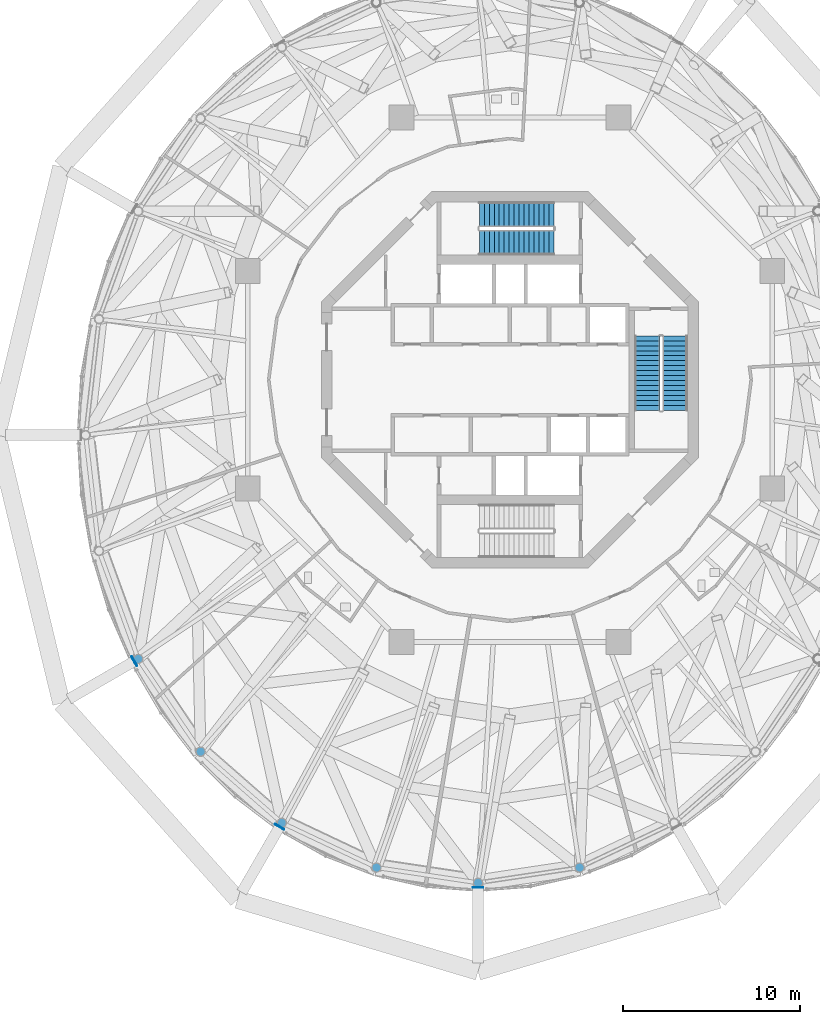
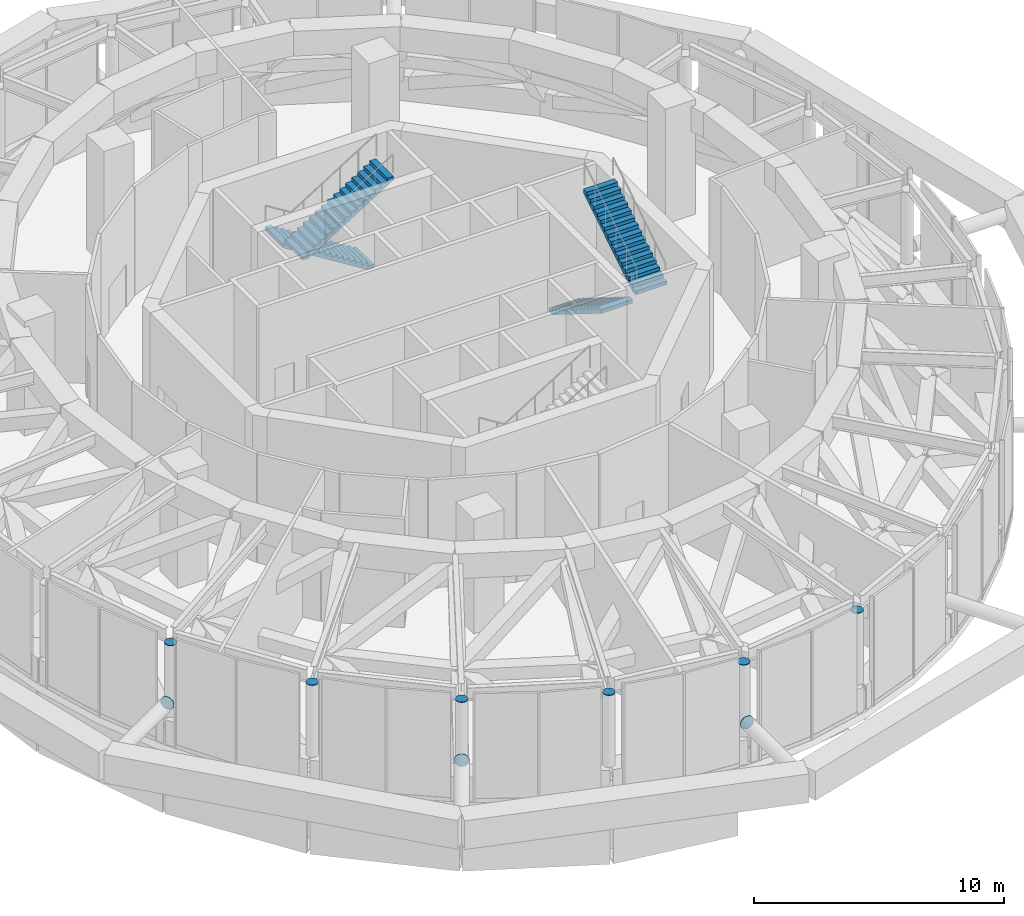
# One storey, part 16 of 22: 9 discrete accessories, 4 stair flights, 2 elements without a shape of their own.
"""IFC4 building model written with IfcOpenShell, lengths in metres."""

from ifc_helpers import new_model, si_unit, direction, frame, origin, origin_2d, place, context, subcontext, project, spatial, polyline, circle, outline, extrude, material, layer, layer_set, type_object, element, aggregate, save


model = new_model("IFC4")

# Units and contexts
model_context = context("Model", 3, precision=1e-05, world=origin(), true_north=direction((0.0, 1.0)))
body_context = subcontext(model_context, "Body", "Model", "MODEL_VIEW")
ifc_project = project(units=[si_unit("LENGTHUNIT", "METRE"), si_unit("AREAUNIT", "SQUARE_METRE"), si_unit("VOLUMEUNIT", "CUBIC_METRE"), si_unit("PLANEANGLEUNIT", "RADIAN"), si_unit("MASSUNIT", "GRAM", prefix="KILO")], contexts=[model_context])

# Site, building, storey
site_placement = place(None, origin())
site = spatial("IfcSite", under=ifc_project, at=site_placement, CompositionType="ELEMENT")
building_placement = place(site_placement, origin())
building = spatial("IfcBuilding", under=site, at=building_placement, Name="Nagisa Residences", CompositionType="ELEMENT")
storey_placement = place(building_placement, frame((0.0, 0.0, 310.300048828125)))
storey = spatial("IfcBuildingStorey", under=building, at=storey_placement, Name="L77", CompositionType="ELEMENT", Elevation=310.300048828125)

# Stair, stair flights
ifc_material_1 = material(Name="Concrete C60", Category="concrete")
stair_type = type_object("IfcStairType", Name="Exit stair", PredefinedType="HALF_TURN_STAIR", material=ifc_material_1)
stair_1_placement = place(storey_placement, origin())
stair_1 = element("IfcStair", 1, at=stair_1_placement, inside=storey, type_object=stair_type, Name="L77 Exit stair E", PredefinedType="HALF_TURN_STAIR")
ifc_material_2 = material(Name="Concrete C60", Category="concrete")
stair_flight_type = type_object("IfcStairFlightType", Name="Exit stair flight", PredefinedType="STRAIGHT", material=ifc_material_2)
stair_flight_1_placement = place(storey_placement, frame((7.737060546875, 2.47509765625, 0.0), z_axis=(0.0, 0.0, 1.0), x_axis=(0.0, -1.0, 0.0)))
stair_flight_1 = element("IfcStairFlight", 2, at=stair_flight_1_placement, type_object=stair_flight_type, Name="ST-E flight 1", NumberOfRisers=16, NumberOfTreads=15, PredefinedType="STRAIGHT", RiserHeight=0.175, TreadLength=0.28, context=body_context, shape_type="SweptSolid", body=[
    extrude(outline(polyline([(0.0, 0.0), (0.0, 0.175048828125), (0.280029296875, 0.175048828125), (0.280029296875, 0.35009765625), (0.56005859375, 0.35009765625), (0.56005859375, 0.52490234375), (0.840087890625, 0.52490234375), (0.840087890625, 0.699951171875), (1.1201171875, 0.699951171875), (1.1201171875, 0.875), (1.39990234375, 0.875), (1.39990234375, 1.050048828125), (1.679931640625, 1.050048828125), (1.679931640625, 1.22509765625), (1.9599609375, 1.22509765625), (1.9599609375, 1.39990234375), (2.239990234375, 1.39990234375), (2.239990234375, 1.574951171875), (2.52001953125, 1.574951171875), (2.52001953125, 1.75), (2.800048828125, 1.75), (2.800048828125, 1.925048828125), (3.080078125, 1.925048828125), (3.080078125, 2.10009765625), (3.360107421875, 2.10009765625), (3.360107421875, 2.27490234375), (3.639892578125, 2.27490234375), (3.639892578125, 2.449951171875), (3.919921875, 2.449951171875), (3.919921875, 2.625), (4.199951171875, 2.625), (4.199951171875, 2.800048828125), (4.199951171875, 2.4482421875), (0.28271484375, 0.0), (0.0, 0.0)])), frame((0.0, 0.71240234375, 0.0), z_axis=(0.0, -1.0, 0.0), x_axis=(1.0, 0.0, 0.0)), (0.0, 0.0, 1.0), 1.425048828125),
])
stair_flight_2_placement = place(storey_placement, frame((9.31201171875, -1.72509765625, 2.800048828125), z_axis=(0.0, 0.0, 1.0), x_axis=(0.0, 1.0, 0.0)))
stair_flight_2 = element("IfcStairFlight", 3, at=stair_flight_2_placement, type_object=stair_flight_type, Name="ST-E flight 2", NumberOfRisers=16, NumberOfTreads=15, PredefinedType="STRAIGHT", RiserHeight=0.175, TreadLength=0.28, context=body_context, shape_type="SweptSolid", body=[
    extrude(outline(polyline([(0.0, 0.0), (0.0, 0.175048828125), (0.280029296875, 0.175048828125), (0.280029296875, 0.35009765625), (0.56005859375, 0.35009765625), (0.56005859375, 0.52490234375), (0.840087890625, 0.52490234375), (0.840087890625, 0.699951171875), (1.1201171875, 0.699951171875), (1.1201171875, 0.875), (1.39990234375, 0.875), (1.39990234375, 1.050048828125), (1.679931640625, 1.050048828125), (1.679931640625, 1.22509765625), (1.9599609375, 1.22509765625), (1.9599609375, 1.39990234375), (2.239990234375, 1.39990234375), (2.239990234375, 1.574951171875), (2.52001953125, 1.574951171875), (2.52001953125, 1.75), (2.800048828125, 1.75), (2.800048828125, 1.925048828125), (3.080078125, 1.925048828125), (3.080078125, 2.10009765625), (3.360107421875, 2.10009765625), (3.360107421875, 2.27490234375), (3.639892578125, 2.27490234375), (3.639892578125, 2.449951171875), (3.919921875, 2.449951171875), (3.919921875, 2.625), (4.199951171875, 2.625), (4.199951171875, 2.800048828125), (4.199951171875, 2.4482421875), (0.28271484375, 0.0), (0.0, 0.0)])), frame((0.0, 0.71240234375, 0.0), z_axis=(0.0, -1.0, 0.0), x_axis=(1.0, 0.0, 0.0)), (0.0, 0.0, 1.0), 1.425048828125),
])
aggregate(stair_1, [stair_flight_1, stair_flight_2])

stair_2_placement = place(storey_placement, origin())
stair_2 = element("IfcStair", 4, at=stair_2_placement, inside=storey, type_object=stair_type, Name="L77 Exit stair N", PredefinedType="HALF_TURN_STAIR")
stair_flight_3_placement = place(storey_placement, frame((2.47509765625, 9.31201171875, 0.0), z_axis=(0.0, 0.0, 1.0), x_axis=(-1.0, 0.0, 0.0)))
stair_flight_3 = element("IfcStairFlight", 5, at=stair_flight_3_placement, type_object=stair_flight_type, Name="ST-N flight 1", NumberOfRisers=16, NumberOfTreads=15, PredefinedType="STRAIGHT", RiserHeight=0.175, TreadLength=0.28, context=body_context, shape_type="SweptSolid", body=[
    extrude(outline(polyline([(0.0, 0.0), (0.0, 0.175048828125), (0.280029296875, 0.175048828125), (0.280029296875, 0.35009765625), (0.56005859375, 0.35009765625), (0.56005859375, 0.52490234375), (0.840087890625, 0.52490234375), (0.840087890625, 0.699951171875), (1.1201171875, 0.699951171875), (1.1201171875, 0.875), (1.39990234375, 0.875), (1.39990234375, 1.050048828125), (1.679931640625, 1.050048828125), (1.679931640625, 1.22509765625), (1.9599609375, 1.22509765625), (1.9599609375, 1.39990234375), (2.239990234375, 1.39990234375), (2.239990234375, 1.574951171875), (2.52001953125, 1.574951171875), (2.52001953125, 1.75), (2.800048828125, 1.75), (2.800048828125, 1.925048828125), (3.080078125, 1.925048828125), (3.080078125, 2.10009765625), (3.360107421875, 2.10009765625), (3.360107421875, 2.27490234375), (3.639892578125, 2.27490234375), (3.639892578125, 2.449951171875), (3.919921875, 2.449951171875), (3.919921875, 2.625), (4.199951171875, 2.625), (4.199951171875, 2.800048828125), (4.199951171875, 2.4482421875), (0.28271484375, 0.0), (0.0, 0.0)])), frame((0.0, 0.71240234375, 0.0), z_axis=(0.0, -1.0, 0.0), x_axis=(1.0, 0.0, 0.0)), (0.0, 0.0, 1.0), 1.425048828125),
])
stair_flight_4_placement = place(storey_placement, frame((-1.72509765625, 7.737060546875, 2.800048828125), z_axis=(0.0, 0.0, 1.0), x_axis=(1.0, 0.0, 0.0)))
stair_flight_4 = element("IfcStairFlight", 6, at=stair_flight_4_placement, type_object=stair_flight_type, Name="ST-N flight 2", NumberOfRisers=16, NumberOfTreads=15, PredefinedType="STRAIGHT", RiserHeight=0.175, TreadLength=0.28, context=body_context, shape_type="SweptSolid", body=[
    extrude(outline(polyline([(0.0, 0.0), (0.0, 0.175048828125), (0.280029296875, 0.175048828125), (0.280029296875, 0.35009765625), (0.56005859375, 0.35009765625), (0.56005859375, 0.52490234375), (0.840087890625, 0.52490234375), (0.840087890625, 0.699951171875), (1.1201171875, 0.699951171875), (1.1201171875, 0.875), (1.39990234375, 0.875), (1.39990234375, 1.050048828125), (1.679931640625, 1.050048828125), (1.679931640625, 1.22509765625), (1.9599609375, 1.22509765625), (1.9599609375, 1.39990234375), (2.239990234375, 1.39990234375), (2.239990234375, 1.574951171875), (2.52001953125, 1.574951171875), (2.52001953125, 1.75), (2.800048828125, 1.75), (2.800048828125, 1.925048828125), (3.080078125, 1.925048828125), (3.080078125, 2.10009765625), (3.360107421875, 2.10009765625), (3.360107421875, 2.27490234375), (3.639892578125, 2.27490234375), (3.639892578125, 2.449951171875), (3.919921875, 2.449951171875), (3.919921875, 2.625), (4.199951171875, 2.625), (4.199951171875, 2.800048828125), (4.199951171875, 2.4482421875), (0.28271484375, 0.0), (0.0, 0.0)])), frame((0.0, 0.71240234375, 0.0), z_axis=(0.0, -1.0, 0.0), x_axis=(1.0, 0.0, 0.0)), (0.0, 0.0, 1.0), 1.425048828125),
])
aggregate(stair_2, [stair_flight_3, stair_flight_4])

# Discrete accessories
ifc_material_3 = material(Name="Steel ASTM A572 Gr 50", Category="steel")
ifc_layer_1 = layer(ifc_material_3, 0.030029296875)
ifc_layer_set_1 = layer_set([ifc_layer_1], Name="End plate")
discrete_accessory_type_1 = type_object("IfcDiscreteAccessoryType", Name="End plate", PredefinedType="ANCHORPLATE", material=ifc_layer_set_1)
for number, where, z_axis, x_axis, name in (
    (7, (-20.95654296875, -15.73779296875, 4.697021484375), (0.0, 0.0, 1.0), (1.0, 0.0, 0.0), "End plate GP615"),
    (8, (-17.441162109375, -20.965087890625, 4.697021484375), (0.0, 0.0, 1.0), (1.0, 0.0, 0.0), "End plate GP616"),
    (9, (-12.860107421875, -24.97607421875, 4.697021484375), (0.0, 0.0, 1.0), (1.0, 0.0, 0.0), "End plate GP617"),
    (10, (-7.525146484375, -27.49755859375, 4.697021484375), (0.0, 0.0, 1.0), (1.0, 0.0, 0.0), "End plate GP618"),
    (11, (-1.800048828125, -28.357666015625, 4.697021484375), (0.0, 0.0, 1.0), (1.0, 0.0, 0.0), "End plate GP619"),
    (12, (3.925048828125, -27.49755859375, 4.697021484375), (0.0, 0.0, 1.0), (1.0, 0.0, 0.0), "End plate GP620"),
):
    element("IfcDiscreteAccessory", number, at=place(storey_placement, frame(where, z_axis=z_axis, x_axis=x_axis)), inside=storey, type_object=discrete_accessory_type_1, Name=name, PredefinedType="ANCHORPLATE", context=body_context, shape_type="SweptSolid", body=[
        extrude(circle(Radius=0.25390625, at=origin_2d()), origin(), (0.0, 0.0, 1.0), 0.030029296875),
    ])
ifc_material_4 = material(Name="Steel ASTM A572 Gr 50", Category="steel")
ifc_layer_2 = layer(ifc_material_4, 0.030029296875)
ifc_layer_set_2 = layer_set([ifc_layer_2], Name="Node plate")
discrete_accessory_type_2 = type_object("IfcDiscreteAccessoryType", Name="Node plate", PredefinedType="ANCHORPLATE", material=ifc_layer_set_2)
discrete_accessory_1_placement = place(storey_placement, frame((-21.19384765625, -15.874755859375, 1.89990234375), z_axis=(0.865241683045, 0.501354993914, 0.0), x_axis=(-0.501354993914, 0.865241683045, 0.0)))
element("IfcDiscreteAccessory", 13, at=discrete_accessory_1_placement, inside=storey, type_object=discrete_accessory_type_2, Name="Node plate ST6T08", PredefinedType="ANCHORPLATE", context=body_context, shape_type="SweptSolid", body=[
    extrude(circle(Radius=0.304931640625, at=origin_2d()), origin(), (0.0, 0.0, 1.0), 0.0302734375),
])
discrete_accessory_2_placement = place(storey_placement, frame((-12.99609375, -25.211669921875, 1.89990234375), z_axis=(0.504883315038, 0.863187603129, 0.0), x_axis=(-0.863187603129, 0.504883315038, 0.0)))
element("IfcDiscreteAccessory", 14, at=discrete_accessory_2_placement, inside=storey, type_object=discrete_accessory_type_2, Name="Node plate ST6T09", PredefinedType="ANCHORPLATE", context=body_context, shape_type="SweptSolid", body=[
    extrude(circle(Radius=0.304931640625, at=origin_2d()), origin(), (0.0, 0.0, 1.0), 0.030029296875),
])
discrete_accessory_3_placement = place(storey_placement, frame((-1.800048828125, -28.631591796875, 1.89990234375), z_axis=(0.0, 1.0, 0.0), x_axis=(-1.0, 0.0, 0.0)))
element("IfcDiscreteAccessory", 15, at=discrete_accessory_3_placement, inside=storey, type_object=discrete_accessory_type_2, Name="Node plate ST6T10", PredefinedType="ANCHORPLATE", context=body_context, shape_type="SweptSolid", body=[
    extrude(circle(Radius=0.304931640625, at=origin_2d()), origin(), (0.0, 0.0, 1.0), 0.02978515625),
])

save(model, "model.ifc")
